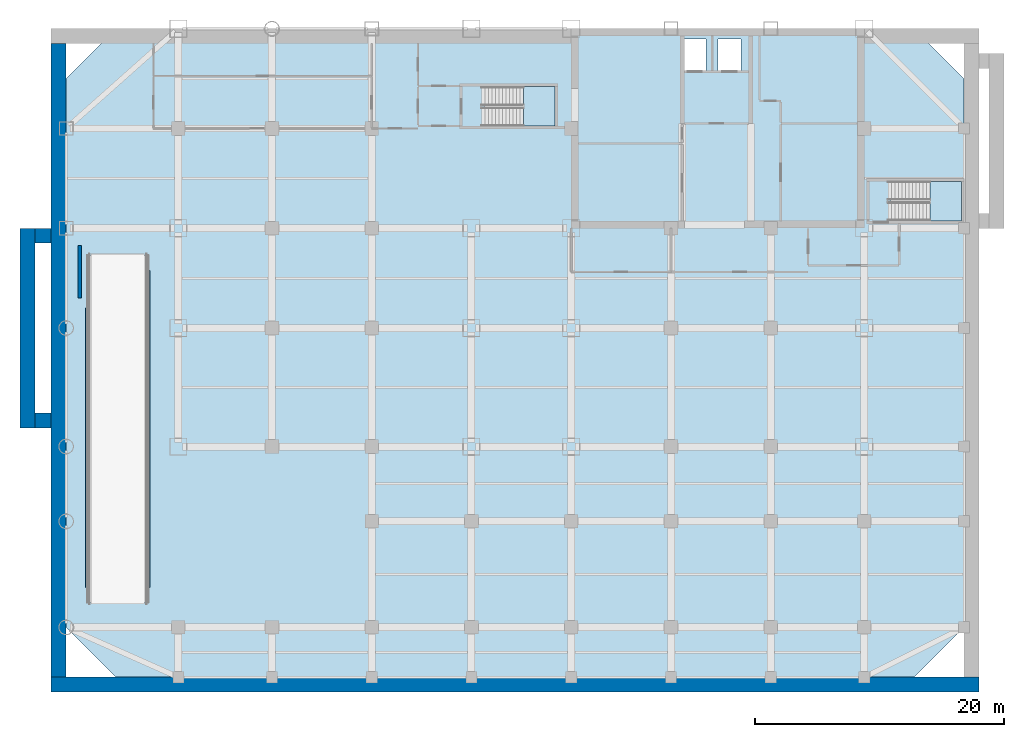
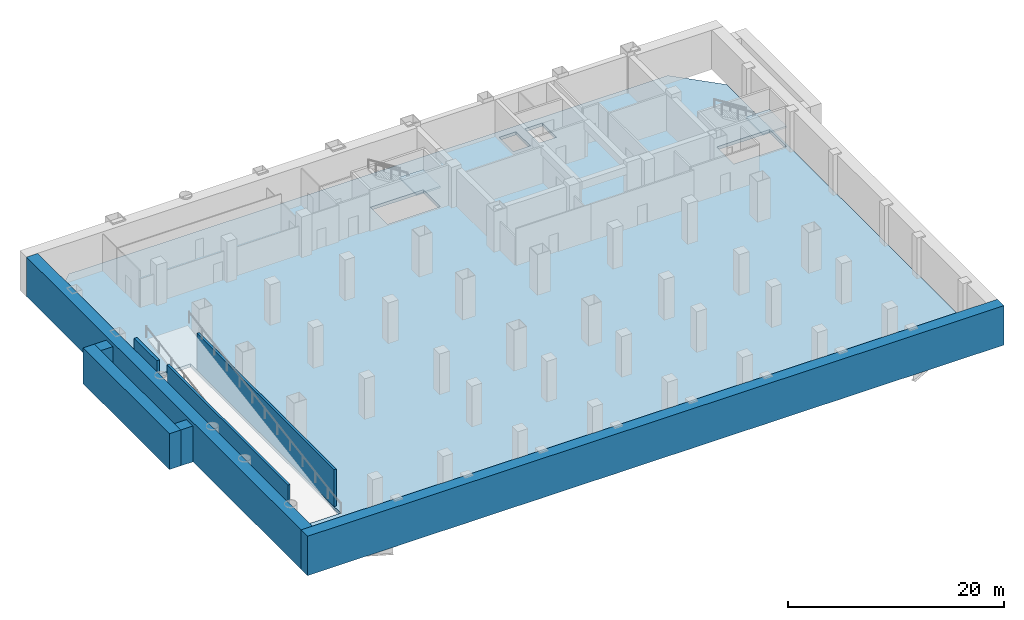
# One storey, part 3 of 8: 8 walls, 3 slabs, 2 elements without a shape of their own.
"""IFC4 building model written with IfcOpenShell, lengths in metres."""

import ifcopenshell
import ifcopenshell.guid

model = None  # the IFC model being written
_history = None  # IfcOwnerHistory: only IFC2X3 demands one
_inside = {}  # id of a spatial element -> (the spatial element, [elements in it])
_under = {}  # id of a project, library or spatial element -> (it, [spatial elements below it])
_declared = {}  # id of a project -> (the project, [libraries it declares])
_typed = {}  # id of a type object -> (the type object, [elements of that type])
_made_of = {}  # id of a material, layer set ... -> (it, [elements and type objects made of it])


def new_model(schema):
    """Start an empty IFC model of exactly this schema.

    Asked for "IFC4X3", IfcOpenShell would pick the latest addendum, in which some entities
    have other attributes; the version numbers below select the first issue.
    IFC2X3 requires an IfcOwnerHistory on every rooted entity: one is made here for all.
    """
    global model, _history
    if schema == "IFC4X3":
        model = ifcopenshell.file(schema_version=(4, 3, 0, 0))
    else:
        model = ifcopenshell.file(schema=schema)
    _inside.clear()
    _under.clear()
    _declared.clear()
    _typed.clear()
    _made_of.clear()
    _history = None
    if model.schema == "IFC2X3":
        org = make("IfcOrganization", Name="unknown")
        user = make(
            "IfcPersonAndOrganization",
            ThePerson=make("IfcPerson", FamilyName="unknown"),
            TheOrganization=org,
        )
        app = make(
            "IfcApplication",
            ApplicationDeveloper=org,
            Version="unknown",
            ApplicationFullName="unknown",
            ApplicationIdentifier="unknown",
        )
        _history = make(
            "IfcOwnerHistory",
            OwningUser=user,
            OwningApplication=app,
            ChangeAction="ADDED",
            CreationDate=0,
        )
    return model


def make(cls, **values):
    """One entity of the class cls with the attributes given. An attribute that is None is left unset."""
    return model.create_entity(
        cls, **{name: value for name, value in values.items() if value is not None}
    )


def rooted(cls, **values):
    """An entity with a GlobalId (a new one), such as an element, a storey or a relation."""
    return make(cls, GlobalId=ifcopenshell.guid.new(), OwnerHistory=_history, **values)


def si_unit(unit_type, name, prefix=None):
    """IfcSIUnit, for example si_unit("LENGTHUNIT", "METRE", prefix="MILLI")."""
    return make("IfcSIUnit", UnitType=unit_type, Prefix=prefix, Name=name)


def assignment(units):
    """IfcUnitAssignment: the units of a project."""
    return None if units is None else make("IfcUnitAssignment", Units=units)


def point(xyz):
    """IfcCartesianPoint."""
    return None if xyz is None else make("IfcCartesianPoint", Coordinates=xyz)


def direction(xyz):
    """IfcDirection."""
    return None if xyz is None else make("IfcDirection", DirectionRatios=xyz)


def frame(location, z_axis=None, x_axis=None):
    """IfcAxis2Placement3D, a coordinate frame: its origin and axes. An axis left out is left unset."""
    return make(
        "IfcAxis2Placement3D",
        Location=point(location),
        Axis=direction(z_axis),
        RefDirection=direction(x_axis),
    )


def frame_2d(location, x_axis=None):
    """IfcAxis2Placement2D, a coordinate frame in the plane: its origin and x axis."""
    return make(
        "IfcAxis2Placement2D", Location=point(location), RefDirection=direction(x_axis)
    )


def origin():
    """The frame at (0, 0, 0) with its axes left unset."""
    return frame((0.0, 0.0, 0.0))


def place(relative_to, where):
    """IfcLocalPlacement: puts the frame where relative to a parent placement (None: the world)."""
    return make(
        "IfcLocalPlacement", PlacementRelTo=relative_to, RelativePlacement=where
    )


def context(
    kind, dimensions, precision=None, world=None, true_north=None, identifier=None
):
    """IfcGeometricRepresentationContext, for example the 3D "Model" context."""
    return make(
        "IfcGeometricRepresentationContext",
        ContextIdentifier=identifier,
        ContextType=kind,
        CoordinateSpaceDimension=dimensions,
        Precision=precision,
        WorldCoordinateSystem=world,
        TrueNorth=true_north,
    )


def subcontext(parent, identifier, kind, view, scale=None):
    """IfcGeometricRepresentationSubContext, for example "Body" below "Model"."""
    return make(
        "IfcGeometricRepresentationSubContext",
        ContextIdentifier=identifier,
        ContextType=kind,
        ParentContext=parent,
        TargetScale=scale,
        TargetView=view,
    )


def project(units=None, contexts=None):
    """IfcProject with its units and contexts."""
    return rooted(
        "IfcProject",
        Name="project",
        RepresentationContexts=contexts,
        UnitsInContext=assignment(units),
    )


def spatial(cls, under=None, at=None, **own):
    """A site, building, storey or space (cls), placed at a placement, below another one or the project."""
    s = rooted(cls, ObjectPlacement=at, **own)
    if under is not None:
        _under.setdefault(under.id(), (under, []))[1].append(s)
    return s


def polyline(points):
    """IfcPolyline through the points."""
    return make("IfcPolyline", Points=[point(p) for p in points])


def profile(cls, at=None, kind="AREA", **sizes):
    """A parametric profile (cls). Its sizes go by their IFC names, for example OverallWidth=200.0."""
    return make(cls, ProfileType=kind, Position=at, **sizes)


def rectangle(**sizes):
    """IfcRectangleProfileDef."""
    return profile("IfcRectangleProfileDef", **sizes)


def outline(outer, holes=None, kind="AREA"):
    """IfcArbitraryClosedProfileDef: a profile drawn as a closed curve; with holes, ...WithVoids."""
    if holes is None:
        return make("IfcArbitraryClosedProfileDef", ProfileType=kind, OuterCurve=outer)
    return make(
        "IfcArbitraryProfileDefWithVoids",
        ProfileType=kind,
        OuterCurve=outer,
        InnerCurves=holes,
    )


def extrude(swept, where, along, depth):
    """IfcExtrudedAreaSolid: the profile swept, set in the frame where, extruded along a direction by depth."""
    return make(
        "IfcExtrudedAreaSolid",
        SweptArea=swept,
        Position=where,
        ExtrudedDirection=direction(along),
        Depth=depth,
    )


def shape(context_of_items, identifier, shape_type, items):
    """IfcShapeRepresentation: the items that make up one representation, for example the "Body"."""
    return make(
        "IfcShapeRepresentation",
        ContextOfItems=context_of_items,
        RepresentationIdentifier=identifier,
        RepresentationType=shape_type,
        Items=items,
    )


def material(Name=None, Category=None):
    """IfcMaterial."""
    return make("IfcMaterial", Name=Name, Category=Category)


def layer(
    of_material, thickness, ventilated=None, Name=None, Category=None, Priority=None
):
    """IfcMaterialLayer: one layer of a wall or slab, of a material (None: an air gap)."""
    return make(
        "IfcMaterialLayer",
        Material=of_material,
        LayerThickness=thickness,
        IsVentilated=ventilated,
        Name=Name,
        Category=Category,
        Priority=Priority,
    )


def layer_set(layers, Name=None):
    """IfcMaterialLayerSet."""
    return make("IfcMaterialLayerSet", MaterialLayers=layers, LayerSetName=Name)


def made_of(thing, what):
    """Note that an element or type object is made of a material, layer set ...; save() writes the relation."""
    if what is not None:
        _made_of.setdefault(what.id(), (what, []))[1].append(thing)
    return thing


def type_object(cls, material=None, **own):
    """A type object (cls), such as IfcWallType, which elements share."""
    return made_of(rooted(cls, **own), material)


def element(
    cls,
    number,
    at=None,
    inside=None,
    cuts=None,
    type_object=None,
    material=None,
    context=None,
    identifier="Body",
    shape_type=None,
    held_by="IfcProductDefinitionShape",
    body=None,
    shapes=None,
    **own,
):
    """One element of the class cls, such as IfcWall. Its Tag is "e" and its number.

    at: its placement. inside: the storey or other place that contains it. cuts: it is an
    opening in that element (IfcRelVoidsElement). A single representation is given by context,
    identifier, shape_type and body (its items); several are given by shapes. held_by: the class
    of the entity that holds the representations. save() writes the other relations.
    """
    e = rooted(cls, Tag="e%d" % number, ObjectPlacement=at, **own)
    if body is not None:
        shapes = [shape(context, identifier, shape_type, body)]
    if shapes is not None:
        e.Representation = make(held_by, Representations=shapes)
    if inside is not None:
        _inside.setdefault(inside.id(), (inside, []))[1].append(e)
    if cuts is not None:
        rooted(
            "IfcRelVoidsElement", RelatingBuildingElement=cuts, RelatedOpeningElement=e
        )
    if type_object is not None:
        _typed.setdefault(type_object.id(), (type_object, []))[1].append(e)
    return made_of(e, material)


def aggregate(whole, parts):
    """IfcRelAggregates: a whole, such as a stair, and the parts it consists of."""
    return rooted("IfcRelAggregates", RelatingObject=whole, RelatedObjects=parts)


def save(model, path):
    """Write the relations noted so far, then the file.

    IfcRelAggregates (storeys below a building ...), IfcRelContainedInSpatialStructure (elements
    in a storey), IfcRelDefinesByType, IfcRelAssociatesMaterial and IfcRelDeclares: one each for
    every whole, place, type object, material and project.
    """
    for whole, parts in _under.values():
        aggregate(whole, parts)
    for where, things in _inside.values():
        rooted(
            "IfcRelContainedInSpatialStructure",
            RelatedElements=things,
            RelatingStructure=where,
        )
    for kind, things in _typed.values():
        rooted("IfcRelDefinesByType", RelatedObjects=things, RelatingType=kind)
    for what, things in _made_of.values():
        rooted("IfcRelAssociatesMaterial", RelatedObjects=things, RelatingMaterial=what)
    for by, libraries in _declared.values():
        rooted("IfcRelDeclares", RelatingContext=by, RelatedDefinitions=libraries)
    model.write(path)


model = new_model("IFC4")

# Units and contexts
model_context = context("Model", 3, precision=1e-05, world=origin(), true_north=direction((0.0, 1.0)))
body_context = subcontext(model_context, "Body", "Model", "MODEL_VIEW")
ifc_project = project(units=[si_unit("LENGTHUNIT", "METRE"), si_unit("AREAUNIT", "SQUARE_METRE"), si_unit("VOLUMEUNIT", "CUBIC_METRE"), si_unit("PLANEANGLEUNIT", "RADIAN"), si_unit("MASSUNIT", "GRAM", prefix="KILO")], contexts=[model_context])

# Site, building, storey
site_placement = place(None, origin())
site = spatial("IfcSite", under=ifc_project, at=site_placement, CompositionType="ELEMENT")
building_placement = place(site_placement, origin())
building = spatial("IfcBuilding", under=site, at=building_placement, Name="Qianrong Seaharbour Tower", CompositionType="ELEMENT")
storey_placement = place(building_placement, frame((0.0, 0.0, -4.60009765625)))
storey = spatial("IfcBuildingStorey", under=building, at=storey_placement, Name="B01", CompositionType="ELEMENT", Elevation=-4.60009765625)

# Slab
ifc_material = material(Name="Concrete C50/60", Category="concrete")
ifc_layer_1 = layer(ifc_material, 0.360107421875)
ifc_layer_set_1 = layer_set([ifc_layer_1], Name="Concrete C50/60")
slab_type_1 = type_object("IfcSlabType", Name="SLAB-BSMT-360", PredefinedType="FLOOR", material=ifc_layer_set_1)
slab_1_placement = place(storey_placement, frame((0.0, 0.0, -0.35986328125)))
element("IfcSlab", 1, at=slab_1_placement, inside=storey, type_object=slab_type_1, Name="B01 Structural Floor Slab", PredefinedType="FLOOR", context=body_context, shape_type="SweptSolid", body=[
    extrude(outline(polyline([(4.0, 0.0), (68.0, 0.0), (72.0, 4.0), (72.0, 48.0), (68.0, 52.0), (4.0, 52.0), (0.0, 48.0), (0.0, 4.0), (4.0, 0.0)]), holes=[polyline([(33.5400390625, 44.199951171875), (33.5400390625, 47.35009765625), (39.199951171875, 47.35009765625), (39.199951171875, 44.199951171875), (33.5400390625, 44.199951171875)]), polyline([(66.139892578125, 36.60009765625), (66.139892578125, 39.75), (71.800048828125, 39.75), (71.800048828125, 36.60009765625), (66.139892578125, 36.60009765625)]), polyline([(49.47998046875, 48.530029296875), (49.47998046875, 51.169921875), (51.320068359375, 51.169921875), (51.320068359375, 48.530029296875), (49.47998046875, 48.530029296875)]), polyline([(52.280029296875, 48.530029296875), (52.280029296875, 51.169921875), (54.1201171875, 51.169921875), (54.1201171875, 48.530029296875), (52.280029296875, 48.530029296875)]), polyline([(1.800048828125, 6.0), (6.5, 6.0), (6.5, 33.800048828125), (1.800048828125, 33.800048828125), (1.800048828125, 6.0)])]), origin(), (0.0, 0.0, 1.0), 0.35986328125),
])

# Stair, slab
stair_type = type_object("IfcStairType", Name="STAIR-DOGLEG-1500-R26", PredefinedType="HALF_TURN_STAIR", material=ifc_material)
stair_1_placement = place(storey_placement, origin())
stair_1 = element("IfcStair", 2, at=stair_1_placement, inside=storey, type_object=stair_type, Name="B01 Protected Escape Stair BST-1", PredefinedType="HALF_TURN_STAIR")
ifc_layer_2 = layer(ifc_material, 0.199951171875)
ifc_layer_set_2 = layer_set([ifc_layer_2], Name="Concrete C50/60")
slab_type_2 = type_object("IfcSlabType", Name="SLAB-STAIR-LANDING-200", PredefinedType="LANDING", material=ifc_layer_set_2)
slab_2_placement = place(storey_placement, frame((0.0, 0.0, 2.10009765625)))
slab_2 = element("IfcSlab", 3, at=slab_2_placement, type_object=slab_type_2, Name="BST-1 landing 1", PredefinedType="LANDING", context=body_context, shape_type="SweptSolid", body=[
    extrude(outline(polyline([(36.659912109375, 44.199951171875), (39.199951171875, 44.199951171875), (39.199951171875, 47.35009765625), (36.659912109375, 47.35009765625), (36.659912109375, 44.199951171875)])), origin(), (0.0, 0.0, 1.0), 0.199951171875),
])
aggregate(stair_1, [slab_2])

stair_2_placement = place(storey_placement, origin())
stair_2 = element("IfcStair", 4, at=stair_2_placement, inside=storey, type_object=stair_type, Name="B01 Protected Escape Stair BST-2", PredefinedType="HALF_TURN_STAIR")
slab_3_placement = place(storey_placement, frame((0.0, 0.0, 2.10009765625)))
slab_3 = element("IfcSlab", 5, at=slab_3_placement, type_object=slab_type_2, Name="BST-2 landing 1", PredefinedType="LANDING", context=body_context, shape_type="SweptSolid", body=[
    extrude(outline(polyline([(69.260009765625, 36.60009765625), (71.800048828125, 36.60009765625), (71.800048828125, 39.75), (69.260009765625, 39.75), (69.260009765625, 36.60009765625)])), origin(), (0.0, 0.0, 1.0), 0.199951171875),
])
aggregate(stair_2, [slab_3])

# Walls
ifc_layer_3 = layer(ifc_material, 1.199951171875)
ifc_layer_set_3 = layer_set([ifc_layer_3], Name="Concrete C50/60")
wall_type_1 = type_object("IfcWallType", Name="WALL-DW-1200", PredefinedType="USERDEFINED", material=ifc_layer_set_3)
wall_1_placement = place(storey_placement, frame((-3.10009765625, 20.0, 0.0), z_axis=(0.0, 0.0, 1.0), x_axis=(0.0, 1.0, 0.0)))
element("IfcWall", 6, at=wall_1_placement, inside=storey, type_object=wall_type_1, Name="B01 West Ramp Retaining Buttress Wall", ObjectType="DIAPHRAGM WALL", PredefinedType="USERDEFINED", context=body_context, shape_type="SweptSolid", body=[
    extrude(rectangle(XDim=16.0, YDim=1.199951171875, at=frame_2d((8.0, 0.0))), origin(), (0.0, 0.0, 1.0), 4.050048828125),
])
for number, where, z_axis, x_axis, name in (
    (7, (-2.5, 20.60009765625, 0.0), (0.0, 0.0, 1.0), (1.0, 0.0, 0.0), "B01 West Ramp Buttress Return Wall S"),
    (8, (-2.5, 35.39990234375, 0.0), (0.0, 0.0, 1.0), (1.0, 0.0, 0.0), "B01 West Ramp Buttress Return Wall N"),
):
    element("IfcWall", number, at=place(storey_placement, frame(where, z_axis=z_axis, x_axis=x_axis)), inside=storey, type_object=wall_type_1, Name=name, ObjectType="DIAPHRAGM WALL", PredefinedType="USERDEFINED", context=body_context, shape_type="SweptSolid", body=[
        extrude(rectangle(XDim=1.300048828125, YDim=1.199951171875, at=frame_2d((0.64990234375, 0.0))), origin(), (0.0, 0.0, 1.0), 4.050048828125),
    ])
wall_2_placement = place(storey_placement, frame((-1.199951171875, -0.60009765625, 0.0), z_axis=(0.0, 0.0, 1.0), x_axis=(1.0, 0.0, 0.0)))
element("IfcWall", 9, at=wall_2_placement, inside=storey, type_object=wall_type_1, Name="B01 South Diaphragm Retaining Wall", ObjectType="DIAPHRAGM WALL", PredefinedType="USERDEFINED", context=body_context, shape_type="SweptSolid", body=[
    extrude(rectangle(XDim=74.39990234375, YDim=1.199951171875, at=frame_2d((37.199951171875, 0.0))), origin(), (0.0, 0.0, 1.0), 4.4501953125),
])
wall_3_placement = place(storey_placement, frame((-0.60009765625, 0.0, 0.0), z_axis=(0.0, 0.0, 1.0), x_axis=(0.0, 1.0, 0.0)))
element("IfcWall", 10, at=wall_3_placement, inside=storey, type_object=wall_type_1, Name="B01 West Diaphragm Retaining Wall", ObjectType="DIAPHRAGM WALL", PredefinedType="USERDEFINED", context=body_context, shape_type="SweptSolid", body=[
    extrude(rectangle(XDim=50.800048828125, YDim=1.199951171875, at=frame_2d((25.39990234375, 0.0))), origin(), (0.0, 0.0, 1.0), 4.4501953125),
])
ifc_layer_4 = layer(ifc_material, 0.239990234375)
ifc_layer_set_4 = layer_set([ifc_layer_4], Name="Concrete C50/60")
wall_type_2 = type_object("IfcWallType", Name="WALL-SHAFT-RC240", PredefinedType="SOLIDWALL", material=ifc_layer_set_4)
wall_4_placement = place(storey_placement, frame((1.679931640625, 7.199951171875, 0.0), z_axis=(0.0, 0.0, 1.0), x_axis=(0.0, 1.0, 0.0)))
element("IfcWall", 11, at=wall_4_placement, inside=storey, type_object=wall_type_2, Name="B01 Vehicular Ramp Structural Support Wall W", PredefinedType="SOLIDWALL", context=body_context, shape_type="SweptSolid", body=[
    extrude(rectangle(XDim=22.400146484375, YDim=0.239990234375, at=frame_2d((11.2001953125, 0.0))), origin(), (0.0, 0.0, 1.0), 4.18017578125),
])
wall_5_placement = place(storey_placement, frame((6.6201171875, 7.199951171875, 0.0), z_axis=(0.0, 0.0, 1.0), x_axis=(0.0, 1.0, 0.0)))
element("IfcWall", 12, at=wall_5_placement, inside=storey, type_object=wall_type_2, Name="B01 Vehicular Ramp Structural Support Wall E", PredefinedType="SOLIDWALL", context=body_context, shape_type="SweptSolid", body=[
    extrude(rectangle(XDim=25.400146484375, YDim=0.239990234375, at=frame_2d((12.7001953125, 0.0))), origin(), (0.0, 0.0, 1.0), 4.18017578125),
])
wall_6_placement = place(storey_placement, frame((1.10009765625, 30.39990234375, 0.0), z_axis=(0.0, 0.0, 1.0), x_axis=(0.0, 1.0, 0.0)))
element("IfcWall", 13, at=wall_6_placement, inside=storey, type_object=wall_type_2, Name="B01 Ramp Arrival Landing Support Wall", PredefinedType="SOLIDWALL", context=body_context, shape_type="SweptSolid", body=[
    extrude(rectangle(XDim=4.2001953125, YDim=0.300048828125, at=frame_2d((2.10009765625, 0.0))), origin(), (0.0, 0.0, 1.0), 4.35009765625),
])

save(model, "model.ifc")
